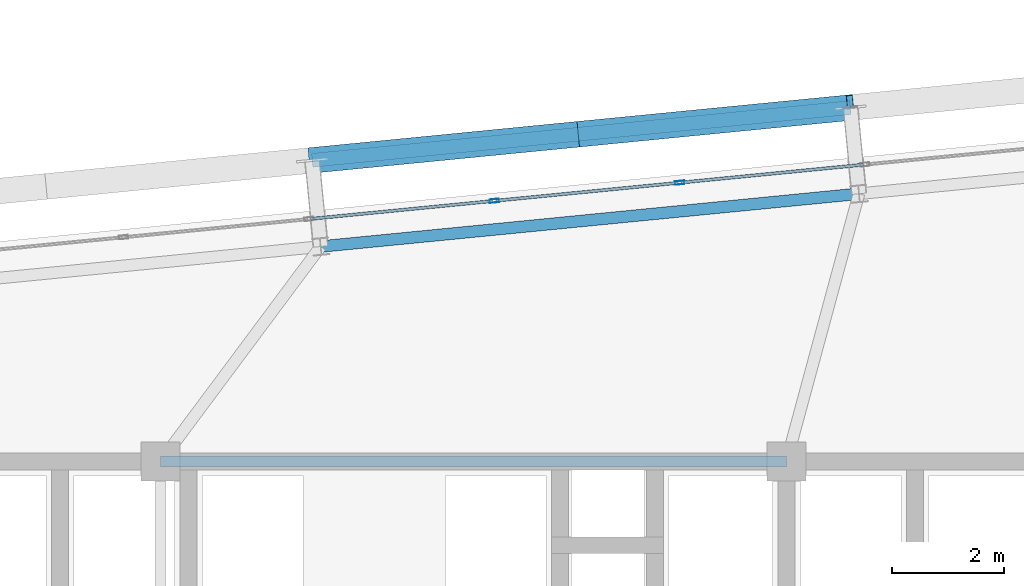
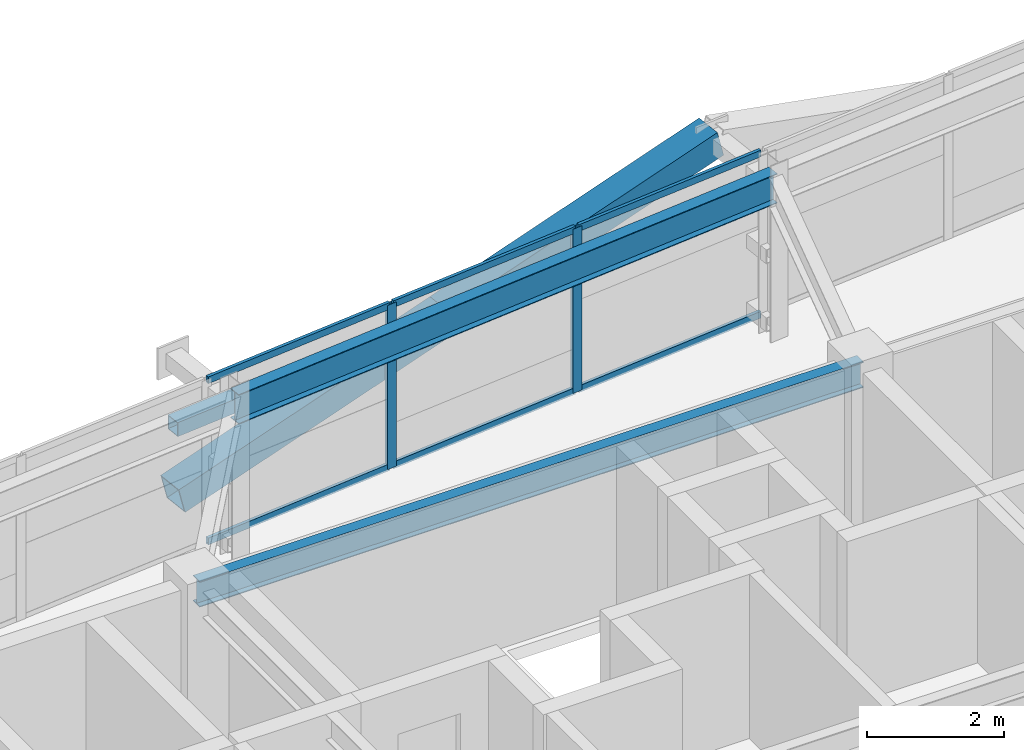
# One storey, part 30 of 52: 11 members, 2 beams, 1 element without a shape of its own.
"""IFC4 building model written with IfcOpenShell, lengths in metres."""

from ifc_helpers import new_model, si_unit, direction, frame, origin, origin_2d, place, context, subcontext, project, spatial, hollow_rectangle, i_section, extrude, source, transform, mapped, material, layer, layer_set, material_profile, profile_set, type_object, element, aggregate, save


model = new_model("IFC4")

# Units and contexts
model_context = context("Model", 3, precision=1e-05, world=origin(), true_north=direction((0.0, 1.0)))
body_context = subcontext(model_context, "Body", "Model", "MODEL_VIEW")
ifc_project = project(units=[si_unit("LENGTHUNIT", "METRE"), si_unit("AREAUNIT", "SQUARE_METRE"), si_unit("VOLUMEUNIT", "CUBIC_METRE"), si_unit("PLANEANGLEUNIT", "RADIAN"), si_unit("MASSUNIT", "GRAM", prefix="KILO")], contexts=[model_context])

# Site, building, storey
site_placement = place(None, origin())
site = spatial("IfcSite", under=ifc_project, at=site_placement, CompositionType="ELEMENT")
building_placement = place(site_placement, origin())
building = spatial("IfcBuilding", under=site, at=building_placement, Name="Taldren Reach Tower", CompositionType="ELEMENT")
storey_placement = place(building_placement, frame((0.0, 0.0, 93.449951171875)))
storey = spatial("IfcBuildingStorey", under=building, at=storey_placement, Name="L28", CompositionType="ELEMENT", Elevation=93.449951171875)

# Beams
ifc_material_1 = material(Name="Steel Gr 350 (350PLUS)", Category="steel")
ifc_material_profile_1 = material_profile(ifc_material_1, i_section(OverallWidth=0.19091796875, OverallDepth=0.4599609375, WebThickness=0.010009765625, FlangeThickness=0.01611328125, at=origin_2d()), Name="460UB82.1")
ifc_profile_set_1 = profile_set([ifc_material_profile_1], Name="Steel Gr 350 (350PLUS)")
beam_type_1 = type_object("IfcBeamType", Name="BM-UB460A", PredefinedType="BEAM", material=ifc_profile_set_1)
shared_shape_1 = source(origin(), body_context, "Body", "SweptSolid", [
    extrude(i_section(OverallWidth=0.19091796875, OverallDepth=0.4599609375, WebThickness=0.010009765625, FlangeThickness=0.01611328125, at=origin_2d()), origin(), (0.0, 0.0, 1.0), 11.199951171875),
])
beam_1_placement = place(storey_placement, frame((28.0, 32.0, 2.699951171875), z_axis=(1.0, 0.0, 0.0), x_axis=(0.0, 1.0, 0.0)))
element("IfcBeam", 1, at=beam_1_placement, inside=storey, type_object=beam_type_1, Name="Core-spine girder L28-SP05", PredefinedType="BEAM", context=body_context, shape_type="MappedRepresentation", body=[
    mapped(shared_shape_1, transform((0.0, 0.0, 0.0), scale=1.0)),
])
ifc_material_profile_2 = material_profile(ifc_material_1, i_section(OverallWidth=0.208984375, OverallDepth=0.528076171875, WebThickness=0.009521484375, FlangeThickness=0.01318359375, at=origin_2d()), Name="530UB82.0")
ifc_profile_set_2 = profile_set([ifc_material_profile_2], Name="Steel Gr 350 (350PLUS)")
beam_type_2 = type_object("IfcBeamType", Name="SP-UB530B", PredefinedType="SPANDREL", material=ifc_profile_set_2)
shared_shape_2 = source(origin(), body_context, "Body", "SweptSolid", [
    extrude(i_section(OverallWidth=0.208984375, OverallDepth=0.528076171875, WebThickness=0.009521484375, FlangeThickness=0.01318359375, at=origin_2d()), origin(), (0.0, 0.0, 1.0), 9.679931640625),
])
beam_2_placement = place(storey_placement, frame((40.498291015625, 36.790771484375, 2.666015625), z_axis=(-0.995227612658, -0.097580730699, 0.0), x_axis=(0.097580730699, -0.995227612658, 0.0)))
element("IfcBeam", 2, at=beam_2_placement, inside=storey, type_object=beam_type_2, Name="Perimeter spandrel B2 N4-N3 L28", PredefinedType="SPANDREL", context=body_context, shape_type="MappedRepresentation", body=[
    mapped(shared_shape_2, transform((0.0, 0.0, 0.0), scale=1.0)),
])

# Members
ifc_material_2 = material(Name="Steel Gr 450 (C450L0)", Category="steel")
ifc_material_profile_3 = material_profile(ifc_material_2, hollow_rectangle(XDim=0.4599609375, YDim=0.4599609375, WallThickness=0.01611328125, at=origin_2d()), Name="460x460x16.0SHS")
ifc_profile_set_3 = profile_set([ifc_material_profile_3], Name="Steel Gr 450 (C450L0)")
member_type_1 = type_object("IfcMemberType", Name="MB-EXO457", PredefinedType="BRACE", material=ifc_profile_set_3)
shared_shape_3 = source(origin(), body_context, "Body", "SweptSolid", [
    extrude(hollow_rectangle(XDim=0.4599609375, YDim=0.4599609375, WallThickness=0.01611328125, at=origin_2d()), origin(), (0.0, 0.0, 1.0), 4.990234375),
])
for number, where, z_axis, x_axis, name in (
    (3, (30.713134765625, 37.388671875, 0.219970703125), (0.965271056716, 0.094667992638, 0.243494883389), (-0.097605711627, 0.995225162995, 0.0), "Exoskeleton Diagrid Brace B2-N3 L28"),
    (4, (35.530029296875, 37.861083984375, 1.43505859375), (0.965275526283, 0.094619506732, 0.243496010862), (-0.097555749586, 0.995230061706, 0.0), "Exoskeleton Diagrid Brace B2-N3 L28"),
):
    element("IfcMember", number, at=place(storey_placement, frame(where, z_axis=z_axis, x_axis=x_axis)), inside=storey, type_object=member_type_1, Name=name, PredefinedType="BRACE", context=body_context, shape_type="MappedRepresentation", body=[
        mapped(shared_shape_3, transform((0.0, 0.0, 0.0), scale=1.0)),
    ])
ifc_material_3 = material(Name="Steel Gr 350 (C350L0)", Category="steel")
ifc_material_profile_4 = material_profile(ifc_material_3, hollow_rectangle(XDim=0.25, YDim=0.25, WallThickness=0.010009765625, at=origin_2d()), Name="250x250x10.0SHS")
ifc_profile_set_4 = profile_set([ifc_material_profile_4], Name="Steel Gr 350 (C350L0)")
member_type_2 = type_object("IfcMemberType", Name="MB-POST250", PredefinedType="POST", material=ifc_profile_set_4)
shared_shape_4 = source(origin(), body_context, "Body", "SweptSolid", [
    extrude(hollow_rectangle(XDim=0.25, YDim=0.25, WallThickness=0.010009765625, at=origin_2d()), origin(), (0.0, 0.0, 1.0), 9.679931640625),
])
member_1_placement = place(storey_placement, frame((30.713134765625, 37.388671875, 1.43505859375), z_axis=(0.995227612658, 0.097580730699, 0.0), x_axis=(-0.097580730699, 0.995227612658, 0.0)))
element("IfcMember", 5, at=member_1_placement, inside=storey, type_object=member_type_2, Name="Exoskeleton mid-height ring chord B2-N3 L28", PredefinedType="POST", context=body_context, shape_type="MappedRepresentation", body=[
    mapped(shared_shape_4, transform((0.0, 0.0, 0.0), scale=1.0)),
])

# Curtain wall, members
ifc_material_4 = material(Name="Aluminium and Low-E Glass Unitised System", Category="aluminium")
ifc_layer = layer(ifc_material_4, 0.159912109375)
ifc_layer_set = layer_set([ifc_layer], Name="Aluminium and Low-E Glass Unitised System")
curtain_wall_type = type_object("IfcCurtainWallType", Name="CW-SYS-3", PredefinedType="NOTDEFINED", material=ifc_layer_set)
curtain_wall_placement = place(storey_placement, origin())
curtain_wall = element("IfcCurtainWall", 6, at=curtain_wall_placement, inside=storey, type_object=curtain_wall_type, Name="Unitised curtain wall CW-L28-N", PredefinedType="NOTDEFINED")
ifc_material_5 = material(Name="Anodised Aluminium 6063-T6", Category="aluminium")
ifc_material_profile_5 = material_profile(ifc_material_5, hollow_rectangle(XDim=0.06494140625, YDim=0.1650390625, WallThickness=0.00390625, at=origin_2d()), Name="ALU-165x65x4RHS")
ifc_profile_set_5 = profile_set([ifc_material_profile_5], Name="Anodised Aluminium 6063-T6")
member_type_3 = type_object("IfcMemberType", Name="CW-MUL-165", PredefinedType="MULLION", material=ifc_profile_set_5)
shared_shape_5 = source(origin(), body_context, "Body", "SweptSolid", [
    extrude(hollow_rectangle(XDim=0.06494140625, YDim=0.1650390625, WallThickness=0.00390625, at=origin_2d()), origin(), (0.0, 0.0, 1.0), 2.929931640625),
])
member_2_placement = place(storey_placement, frame((37.290283203125, 36.988525390625, 0.0), z_axis=(0.0, 0.0, 1.0), x_axis=(0.097582999046, -0.995227390247, 0.0)))
member_2 = element("IfcMember", 7, at=member_2_placement, type_object=member_type_3, Name="CW-3 mullion 8", PredefinedType="MULLION", context=body_context, shape_type="MappedRepresentation", body=[
    mapped(shared_shape_5, transform((0.0, 0.0, 0.0), scale=1.0)),
])
member_3_placement = place(storey_placement, frame((33.972900390625, 36.663330078125, 0.0), z_axis=(0.0, 0.0, 1.0), x_axis=(0.097582999046, -0.995227390247, 0.0)))
member_3 = element("IfcMember", 8, at=member_3_placement, type_object=member_type_3, Name="CW-3 mullion 9", PredefinedType="MULLION", context=body_context, shape_type="MappedRepresentation", body=[
    mapped(shared_shape_5, transform((0.0, 0.0, 0.0), scale=1.0)),
])
ifc_material_profile_6 = material_profile(ifc_material_5, hollow_rectangle(XDim=0.054931640625, YDim=0.1201171875, WallThickness=0.0029296875, at=origin_2d()), Name="ALU-120x55x3RHS")
ifc_profile_set_6 = profile_set([ifc_material_profile_6], Name="Anodised Aluminium 6063-T6")
member_type_4 = type_object("IfcMemberType", Name="CW-TRN-135", PredefinedType="USERDEFINED", material=ifc_profile_set_6)
shared_shape_6 = source(origin(), body_context, "Body", "SweptSolid", [
    extrude(hollow_rectangle(XDim=0.054931640625, YDim=0.1201171875, WallThickness=0.0029296875, at=origin_2d()), origin(), (0.0, 0.0, 1.0), 3.268310546875),
])
member_4_placement = place(storey_placement, frame((37.2578125, 36.9853515625, 0.027587890625), z_axis=(-0.99522980512, -0.097558367146, 0.0), x_axis=(0.097558367146, -0.99522980512, 0.0)))
member_4 = element("IfcMember", 9, at=member_4_placement, type_object=member_type_4, Name="CW-3 transom 8.1", ObjectType="TRANSOM", PredefinedType="USERDEFINED", context=body_context, shape_type="MappedRepresentation", body=[
    mapped(shared_shape_6, transform((0.0, 0.0, 0.0), scale=1.0)),
])
member_5_placement = place(storey_placement, frame((37.2578125, 36.9853515625, 2.902587890625), z_axis=(-0.99522980512, -0.097558367146, 0.0), x_axis=(0.097558367146, -0.99522980512, 0.0)))
member_5 = element("IfcMember", 10, at=member_5_placement, type_object=member_type_4, Name="CW-3 transom 8.2", ObjectType="TRANSOM", PredefinedType="USERDEFINED", context=body_context, shape_type="MappedRepresentation", body=[
    mapped(shared_shape_6, transform((0.0, 0.0, 0.0), scale=1.0)),
])
member_6_placement = place(storey_placement, frame((33.9404296875, 36.66015625, 0.027587890625), z_axis=(-0.99522980512, -0.097558367146, 0.0), x_axis=(0.097558367146, -0.99522980512, 0.0)))
member_6 = element("IfcMember", 11, at=member_6_placement, type_object=member_type_4, Name="CW-3 transom 9.1", ObjectType="TRANSOM", PredefinedType="USERDEFINED", context=body_context, shape_type="MappedRepresentation", body=[
    mapped(shared_shape_6, transform((0.0, 0.0, 0.0), scale=1.0)),
])
member_7_placement = place(storey_placement, frame((33.9404296875, 36.66015625, 2.902587890625), z_axis=(-0.99522980512, -0.097558367146, 0.0), x_axis=(0.097558367146, -0.99522980512, 0.0)))
member_7 = element("IfcMember", 12, at=member_7_placement, type_object=member_type_4, Name="CW-3 transom 9.2", ObjectType="TRANSOM", PredefinedType="USERDEFINED", context=body_context, shape_type="MappedRepresentation", body=[
    mapped(shared_shape_6, transform((0.0, 0.0, 0.0), scale=1.0)),
])
shared_shape_7 = source(origin(), body_context, "Body", "SweptSolid", [
    extrude(hollow_rectangle(XDim=0.054931640625, YDim=0.1201171875, WallThickness=0.0029296875, at=origin_2d()), origin(), (0.0, 0.0, 1.0), 3.2685546875),
])
member_8_placement = place(storey_placement, frame((40.575439453125, 37.310791015625, 0.027587890625), z_axis=(-0.995223261527, -0.09762509778, 0.0), x_axis=(0.09762509778, -0.995223261527, 0.0)))
member_8 = element("IfcMember", 13, at=member_8_placement, type_object=member_type_4, Name="CW-3 transom 7.1", ObjectType="TRANSOM", PredefinedType="USERDEFINED", context=body_context, shape_type="MappedRepresentation", body=[
    mapped(shared_shape_7, transform((0.0, 0.0, 0.0), scale=1.0)),
])
member_9_placement = place(storey_placement, frame((40.575439453125, 37.310791015625, 2.902587890625), z_axis=(-0.995223261527, -0.09762509778, 0.0), x_axis=(0.09762509778, -0.995223261527, 0.0)))
member_9 = element("IfcMember", 14, at=member_9_placement, type_object=member_type_4, Name="CW-3 transom 7.2", ObjectType="TRANSOM", PredefinedType="USERDEFINED", context=body_context, shape_type="MappedRepresentation", body=[
    mapped(shared_shape_7, transform((0.0, 0.0, 0.0), scale=1.0)),
])
aggregate(curtain_wall, [member_2, member_3, member_8, member_9, member_4, member_5, member_6, member_7])

save(model, "model.ifc")
